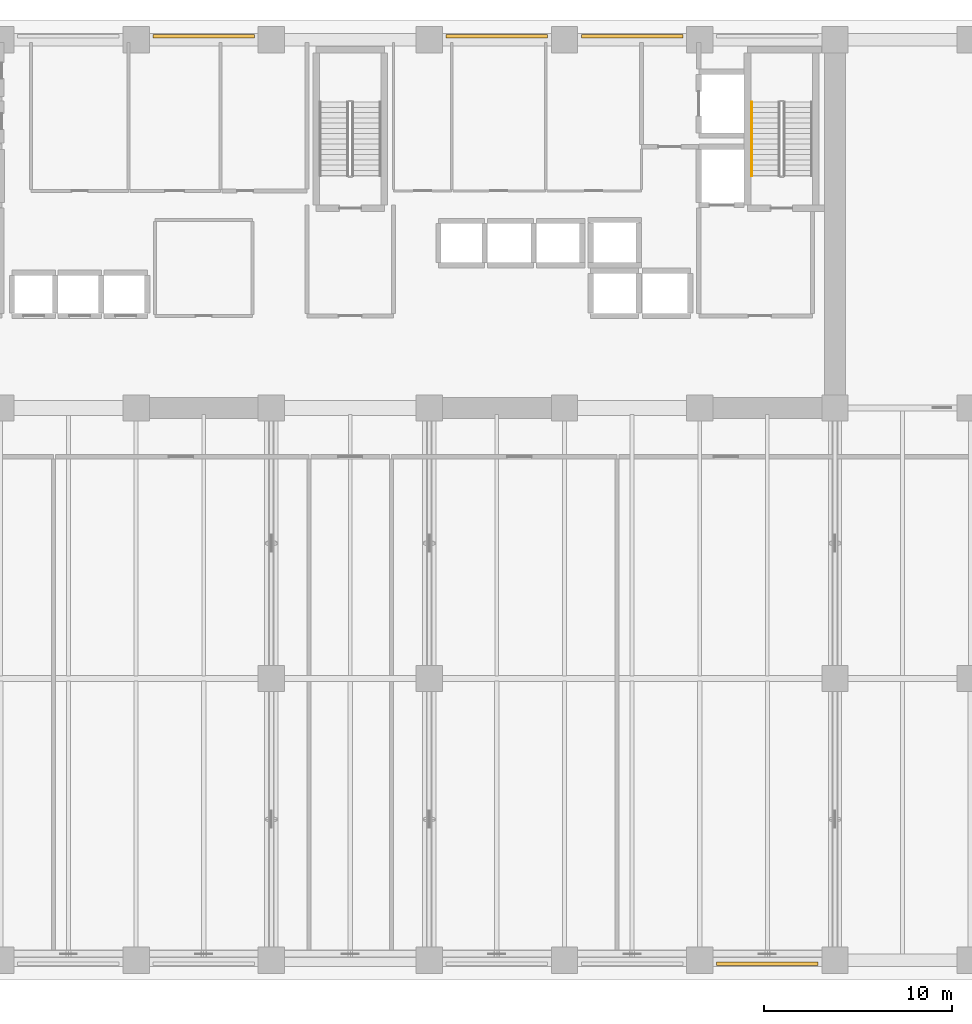
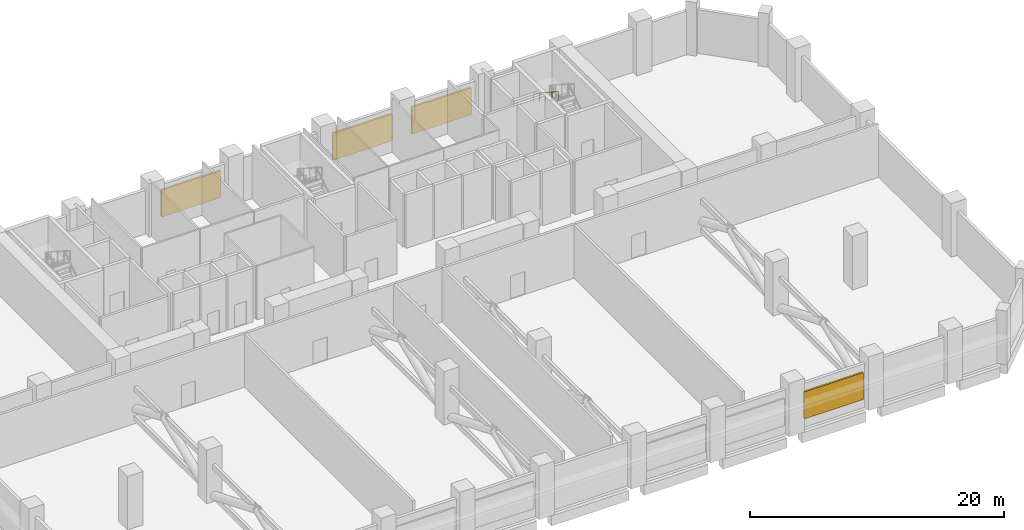
# One storey, part 14 of 15: 4 shading devices, 1 railing.
"""IFC4 building model written with IfcOpenShell, lengths in metres."""

from ifc_helpers import new_model, si_unit, direction, frame, origin, origin_2d, place, context, subcontext, project, spatial, rectangle, extrude, material, type_object, element, save


model = new_model("IFC4")

# Units and contexts
model_context = context("Model", 3, precision=1e-05, world=origin(), true_north=direction((0.0, 1.0)))
body_context = subcontext(model_context, "Body", "Model", "MODEL_VIEW")
ifc_project = project(units=[si_unit("LENGTHUNIT", "METRE"), si_unit("AREAUNIT", "SQUARE_METRE"), si_unit("VOLUMEUNIT", "CUBIC_METRE"), si_unit("PLANEANGLEUNIT", "RADIAN"), si_unit("MASSUNIT", "GRAM", prefix="KILO")], contexts=[model_context])

# Site, building, storey
site_placement = place(None, origin())
site = spatial("IfcSite", under=ifc_project, at=site_placement, CompositionType="ELEMENT")
building_placement = place(site_placement, origin())
building = spatial("IfcBuilding", under=site, at=building_placement, Name="Kaelvorn Grand Hotel", CompositionType="ELEMENT")
storey_placement = place(building_placement, frame((0.0, 0.0, 80.14990234375)))
storey = spatial("IfcBuildingStorey", under=building, at=storey_placement, Name="L18", CompositionType="ELEMENT", Elevation=80.14990234375)

# Railing
ifc_material_1 = material(Name="Stainless Steel", Category="steel")
railing_type = type_object("IfcRailingType", Name="RL-HANDRAIL-900", PredefinedType="HANDRAIL", material=ifc_material_1)
railing_placement = place(storey_placement, frame((63.3701171875, 45.679931640625, 2.880126953125)))
element("IfcRailing", 1, at=railing_placement, inside=storey, type_object=railing_type, Name="L18 ST3 stair handrail 2", PredefinedType="HANDRAIL", context=body_context, shape_type="SweptSolid", body=[
    extrude(rectangle(XDim=0.048095703125, YDim=0.048095703125, at=origin_2d()), frame((0.0, 0.0, 0.8759765625), z_axis=(0.0, -0.841171666519, 0.540768182723), x_axis=(1.0, 0.0, 0.0)), (0.0, 0.0, 1.0), 4.66015625),
    extrude(rectangle(XDim=0.0419921875, YDim=0.0419921875, at=origin_2d()), origin(), (0.0, 0.0, 1.0), 0.851806640625),
    extrude(rectangle(XDim=0.0419921875, YDim=0.0419921875, at=origin_2d()), frame((0.0, -0.97998046875, 0.6298828125)), (0.0, 0.0, 1.0), 0.851806640625),
    extrude(rectangle(XDim=0.0419921875, YDim=0.0419921875, at=origin_2d()), frame((0.0, -1.9599609375, 1.260009765625)), (0.0, 0.0, 1.0), 0.851806640625),
    extrude(rectangle(XDim=0.0419921875, YDim=0.0419921875, at=origin_2d()), frame((0.0, -2.93994140625, 1.89013671875)), (0.0, 0.0, 1.0), 0.851806640625),
    extrude(rectangle(XDim=0.0419921875, YDim=0.0419921875, at=origin_2d()), frame((0.0, -3.919921875, 2.52001953125)), (0.0, 0.0, 1.0), 0.851806640625),
])

# Shading devices
ifc_material_2 = material(Name="Anodised Aluminium", Category="aluminium")
shading_device_type = type_object("IfcShadingDeviceType", Name="SHD-LOUVRE-PLANT", PredefinedType="USERDEFINED", material=ifc_material_2)
for number, where, z_axis, x_axis, name in (
    (2, (34.199951171875, 49.18994140625, 0.900146484375), (0.0, 0.0, 1.0), (1.0, 0.0, 0.0), "L18 Mechanical Plant Aluminium Louvre Screen N4"),
    (3, (49.800048828125, 49.18994140625, 0.900146484375), (0.0, 0.0, 1.0), (1.0, 0.0, 0.0), "L18 Mechanical Plant Aluminium Louvre Screen N5"),
    (4, (57.0, 49.18994140625, 0.900146484375), (0.0, 0.0, 1.0), (1.0, 0.0, 0.0), "L18 Mechanical Plant Aluminium Louvre Screen N6"),
    (5, (64.199951171875, -0.18994140625, 0.900146484375), (0.0, 0.0, 1.0), (1.0, 0.0, 0.0), "L18 Mechanical Plant Aluminium Louvre Screen S7"),
):
    element("IfcShadingDevice", number, at=place(storey_placement, frame(where, z_axis=z_axis, x_axis=x_axis)), inside=storey, type_object=shading_device_type, Name=name, ObjectType="LOUVRE", PredefinedType="USERDEFINED", context=body_context, shape_type="SweptSolid", body=[
        extrude(rectangle(XDim=5.39990234375, YDim=0.179931640625, at=origin_2d()), origin(), (0.0, 0.0, 1.0), 2.60009765625),
    ])

save(model, "model.ifc")
